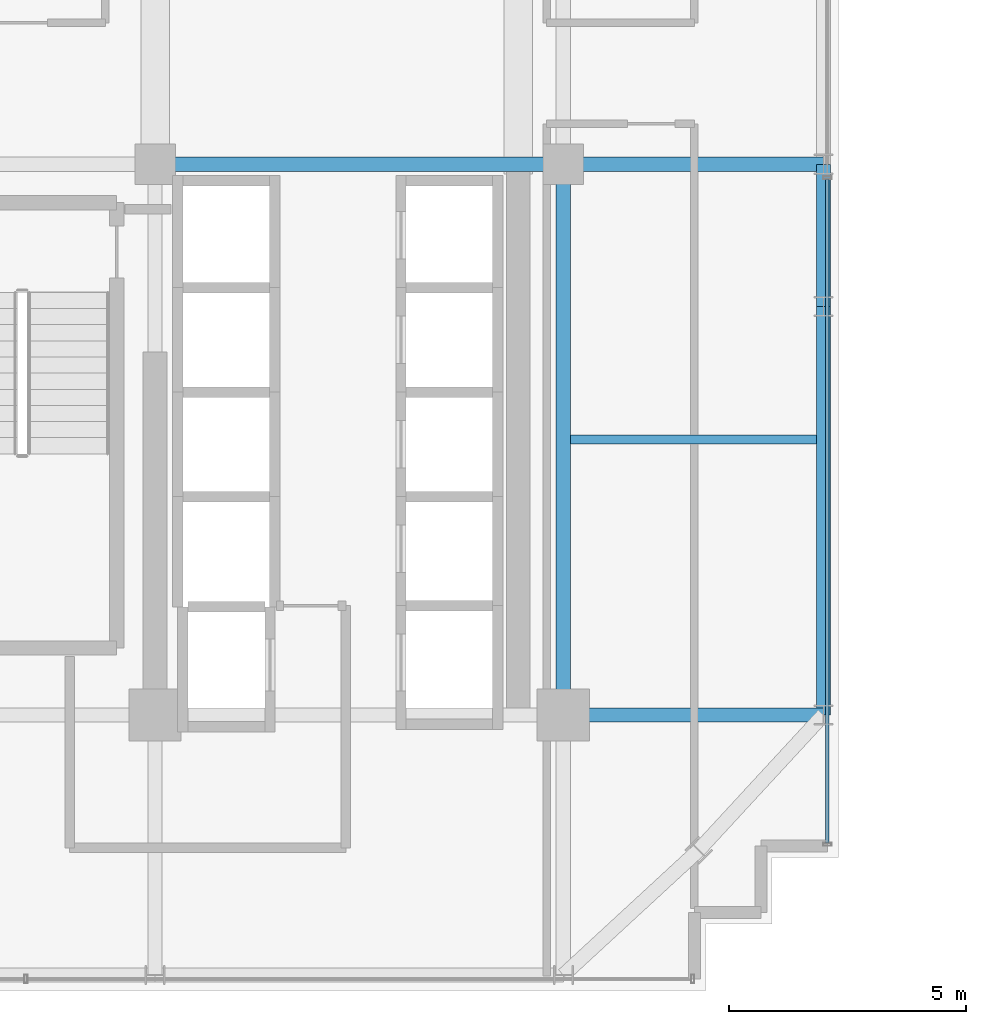
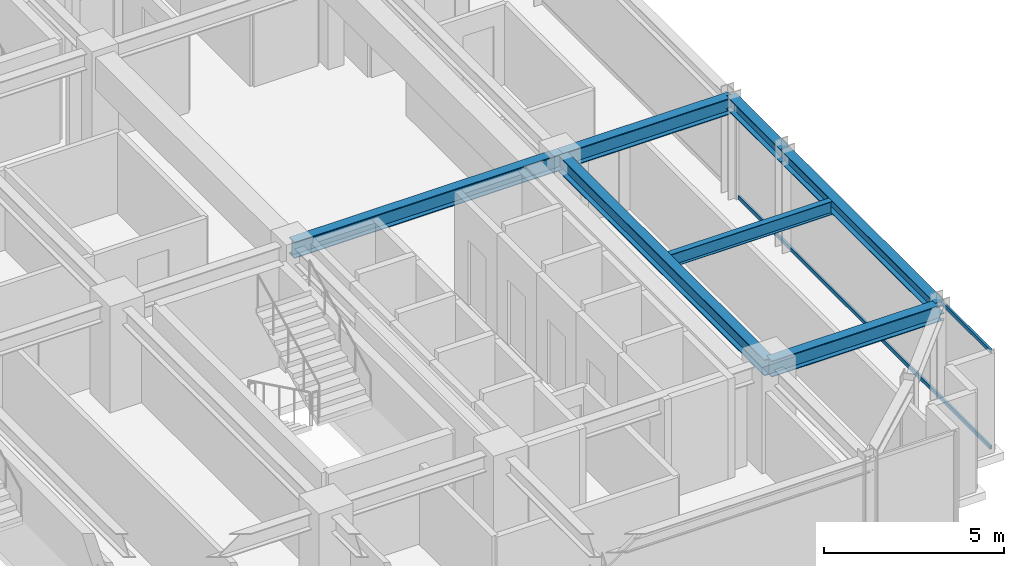
# One storey, part 10 of 31: 7 beams, 2 members, 1 element without a shape of its own.
"""IFC4 building model written with IfcOpenShell, lengths in metres."""

from ifc_helpers import new_model, si_unit, direction, frame, origin, origin_2d, place, context, subcontext, project, spatial, hollow_rectangle, i_section, extrude, source, transform, mapped, material, material_profile, profile_set, type_object, element, aggregate, save


model = new_model("IFC4")

# Units and contexts
model_context = context("Model", 3, precision=1e-05, world=origin(), true_north=direction((0.0, 1.0)))
body_context = subcontext(model_context, "Body", "Model", "MODEL_VIEW")
ifc_project = project(units=[si_unit("LENGTHUNIT", "METRE"), si_unit("AREAUNIT", "SQUARE_METRE"), si_unit("VOLUMEUNIT", "CUBIC_METRE"), si_unit("PLANEANGLEUNIT", "RADIAN"), si_unit("MASSUNIT", "GRAM", prefix="KILO")], contexts=[model_context])

# Site, building, storey
site_placement = place(None, origin())
site = spatial("IfcSite", under=ifc_project, at=site_placement, CompositionType="ELEMENT")
building_placement = place(site_placement, origin())
building = spatial("IfcBuilding", under=site, at=building_placement, Name="Nahalor Promenade Grand Hotel", CompositionType="ELEMENT")
storey_placement = place(building_placement, frame((0.0, 0.0, 192.800048828125)))
storey = spatial("IfcBuildingStorey", under=building, at=storey_placement, Name="L49", CompositionType="ELEMENT", Elevation=192.800048828125)

# Beams
ifc_material_1 = material(Name="Steel S355JR", Category="steel")
ifc_material_profile_1 = material_profile(ifc_material_1, i_section(OverallWidth=0.3, OverallDepth=0.55, WebThickness=0.015, FlangeThickness=0.029, at=origin_2d()), Name="HEB 550")
ifc_profile_set_1 = profile_set([ifc_material_profile_1], Name="Steel S355JR")
beam_type_1 = type_object("IfcBeamType", Name="Beam-Girder-HEB550", PredefinedType="BEAM", material=ifc_profile_set_1)
shared_shape_1 = source(origin(), body_context, "Body", "SweptSolid", [
    extrude(i_section(OverallWidth=0.3, OverallDepth=0.55, WebThickness=0.015, FlangeThickness=0.029, at=origin_2d()), origin(), (0.0, 0.0, 1.0), 8.60009765625),
])
beam_1_placement = place(storey_placement, frame((8.39990234375, -5.39990234375, 3.114990234375), z_axis=(1.0, 0.0, 0.0), x_axis=(0.0, 1.0, 0.0)))
element("IfcBeam", 1, at=beam_1_placement, inside=storey, type_object=beam_type_1, Name="BM-L49-GX-1-5", PredefinedType="BEAM", context=body_context, shape_type="MappedRepresentation", body=[
    mapped(shared_shape_1, transform((0.0, 0.0, 0.0), scale=1.0)),
])
shared_shape_2 = source(origin(), body_context, "Body", "SweptSolid", [
    extrude(i_section(OverallWidth=0.3, OverallDepth=0.55, WebThickness=0.015, FlangeThickness=0.029, at=origin_2d()), origin(), (0.0, 0.0, 1.0), 11.60009765625),
])
beam_2_placement = place(storey_placement, frame((17.0, -17.0, 3.114990234375), z_axis=(0.0, 1.0, 0.0), x_axis=(-1.0, 0.0, 0.0)))
element("IfcBeam", 2, at=beam_2_placement, inside=storey, type_object=beam_type_1, Name="BM-L49-GY-5-1", PredefinedType="BEAM", context=body_context, shape_type="MappedRepresentation", body=[
    mapped(shared_shape_2, transform((0.0, 0.0, 0.0), scale=1.0)),
])
shared_shape_3 = source(origin(), body_context, "Body", "SweptSolid", [
    extrude(i_section(OverallWidth=0.3, OverallDepth=0.55, WebThickness=0.015, FlangeThickness=0.029, at=origin_2d()), origin(), (0.0, 0.0, 1.0), 5.47998046875),
])
for number, where, z_axis, x_axis, name in (
    (3, (17.0, -17.0, 3.114990234375), (1.0, 0.0, 0.0), (0.0, 1.0, 0.0), "BM-L49-GX-0-6"),
    (4, (17.0, -5.39990234375, 3.114990234375), (1.0, 0.0, 0.0), (0.0, 1.0, 0.0), "BM-L49-GX-1-6"),
):
    element("IfcBeam", number, at=place(storey_placement, frame(where, z_axis=z_axis, x_axis=x_axis)), inside=storey, type_object=beam_type_1, Name=name, PredefinedType="BEAM", context=body_context, shape_type="MappedRepresentation", body=[
        mapped(shared_shape_3, transform((0.0, 0.0, 0.0), scale=1.0)),
    ])
ifc_material_profile_2 = material_profile(ifc_material_1, i_section(OverallWidth=0.19, OverallDepth=0.45, WebThickness=0.0094, FlangeThickness=0.0146, at=origin_2d()), Name="IPE 450")
ifc_profile_set_2 = profile_set([ifc_material_profile_2], Name="Steel S355JR")
beam_type_2 = type_object("IfcBeamType", Name="Beam-Joist-IPE450", PredefinedType="JOIST", material=ifc_profile_set_2)
shared_shape_4 = source(origin(), body_context, "Body", "SweptSolid", [
    extrude(i_section(OverallWidth=0.19, OverallDepth=0.45, WebThickness=0.0094, FlangeThickness=0.0146, at=origin_2d()), origin(), (0.0, 0.0, 1.0), 5.18017578125),
])
beam_3_placement = place(storey_placement, frame((17.14990234375, -11.199951171875, 3.1650390625), z_axis=(1.0, 0.0, 0.0), x_axis=(0.0, 1.0, 0.0)))
element("IfcBeam", 5, at=beam_3_placement, inside=storey, type_object=beam_type_2, Name="BM-L49-JSE-0-2", PredefinedType="JOIST", context=body_context, shape_type="MappedRepresentation", body=[
    mapped(shared_shape_4, transform((0.0, 0.0, 0.0), scale=1.0)),
])
ifc_material_profile_3 = material_profile(ifc_material_1, i_section(OverallWidth=0.3, OverallDepth=0.45, WebThickness=0.014, FlangeThickness=0.026, at=origin_2d()), Name="HEB 450")
ifc_profile_set_3 = profile_set([ifc_material_profile_3], Name="Steel S355JR")
beam_type_3 = type_object("IfcBeamType", Name="Beam-Spandrel-HEB450", PredefinedType="SPANDREL", material=ifc_profile_set_3)
shared_shape_5 = source(origin(), body_context, "Body", "SweptSolid", [
    extrude(i_section(OverallWidth=0.3, OverallDepth=0.45, WebThickness=0.014, FlangeThickness=0.026, at=origin_2d()), origin(), (0.0, 0.0, 1.0), 8.60009765625),
])
beam_4_placement = place(storey_placement, frame((22.47998046875, -17.0, 3.1650390625), z_axis=(0.0, 1.0, 0.0), x_axis=(-1.0, 0.0, 0.0)))
element("IfcBeam", 6, at=beam_4_placement, inside=storey, type_object=beam_type_3, Name="BM-L49-SP-E-0", PredefinedType="SPANDREL", context=body_context, shape_type="MappedRepresentation", body=[
    mapped(shared_shape_5, transform((0.0, 0.0, 0.0), scale=1.0)),
])
shared_shape_6 = source(origin(), body_context, "Body", "SweptSolid", [
    extrude(i_section(OverallWidth=0.3, OverallDepth=0.45, WebThickness=0.014, FlangeThickness=0.026, at=origin_2d()), origin(), (0.0, 0.0, 1.0), 3.0),
])
beam_5_placement = place(storey_placement, frame((22.47998046875, -8.39990234375, 3.1650390625), z_axis=(0.0, 1.0, 0.0), x_axis=(-1.0, 0.0, 0.0)))
element("IfcBeam", 7, at=beam_5_placement, inside=storey, type_object=beam_type_3, Name="BM-L49-SP-E-1", PredefinedType="SPANDREL", context=body_context, shape_type="MappedRepresentation", body=[
    mapped(shared_shape_6, transform((0.0, 0.0, 0.0), scale=1.0)),
])

# Curtain wall, members
ifc_material_2 = material(Name="Anodised Bronze Aluminium EN AW-6063 T6", Category="aluminium")
curtain_wall_type = type_object("IfcCurtainWallType", Name="CW2 Typical Hotel Flush Bronze Unitised Curtain Wall", PredefinedType="USERDEFINED", material=ifc_material_2)
curtain_wall_placement = place(storey_placement, origin())
curtain_wall = element("IfcCurtainWall", 8, at=curtain_wall_placement, inside=storey, type_object=curtain_wall_type, Name="L49 Curtain Wall CW-L49-E-1", ObjectType="UNITISED_CURTAIN_WALL", PredefinedType="USERDEFINED")
ifc_material_profile_4 = material_profile(ifc_material_2, hollow_rectangle(XDim=0.065, YDim=0.13, WallThickness=0.004, at=origin_2d()), Name="CWT 65x130x4")
ifc_profile_set_4 = profile_set([ifc_material_profile_4], Name="Anodised Bronze Aluminium EN AW-6063 T6")
member_type = type_object("IfcMemberType", Name="CWT2 Typical Bronze Transom 65x130", PredefinedType="USERDEFINED", material=ifc_profile_set_4)
shared_shape_7 = source(origin(), body_context, "Body", "SweptSolid", [
    extrude(hollow_rectangle(XDim=0.065, YDim=0.13, WallThickness=0.004, at=origin_2d()), origin(), (0.0, 0.0, 1.0), 13.982666015625),
])
member_1_placement = place(storey_placement, frame((22.56005859375, -19.695068359375, 0.06494140625), z_axis=(0.0, 1.0, 0.0), x_axis=(-1.0, 0.0, 0.0)))
member_1 = element("IfcMember", 9, at=member_1_placement, type_object=member_type, Name="CW-L49-E-1 Transom 0-0", ObjectType="TRANSOM", PredefinedType="USERDEFINED", context=body_context, shape_type="MappedRepresentation", body=[
    mapped(shared_shape_7, transform((0.0, 0.0, 0.0), scale=1.0)),
])
member_2_placement = place(storey_placement, frame((22.56005859375, -19.695068359375, 3.324951171875), z_axis=(0.0, 1.0, 0.0), x_axis=(-1.0, 0.0, 0.0)))
member_2 = element("IfcMember", 10, at=member_2_placement, type_object=member_type, Name="CW-L49-E-1 Transom 0-1", ObjectType="TRANSOM", PredefinedType="USERDEFINED", context=body_context, shape_type="MappedRepresentation", body=[
    mapped(shared_shape_7, transform((0.0, 0.0, 0.0), scale=1.0)),
])
aggregate(curtain_wall, [member_1, member_2])

save(model, "model.ifc")
